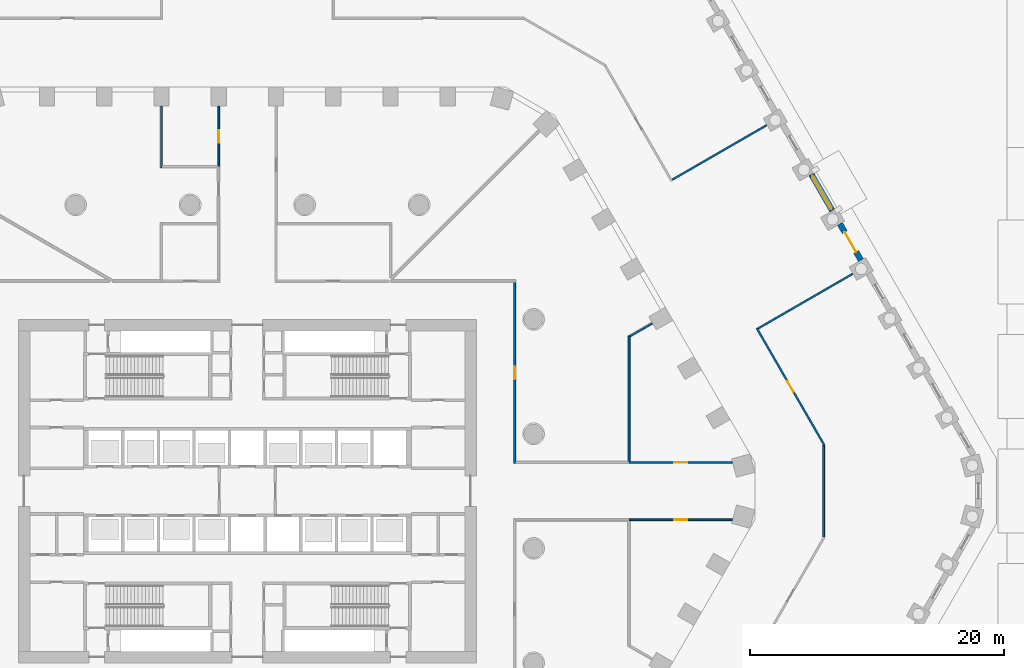
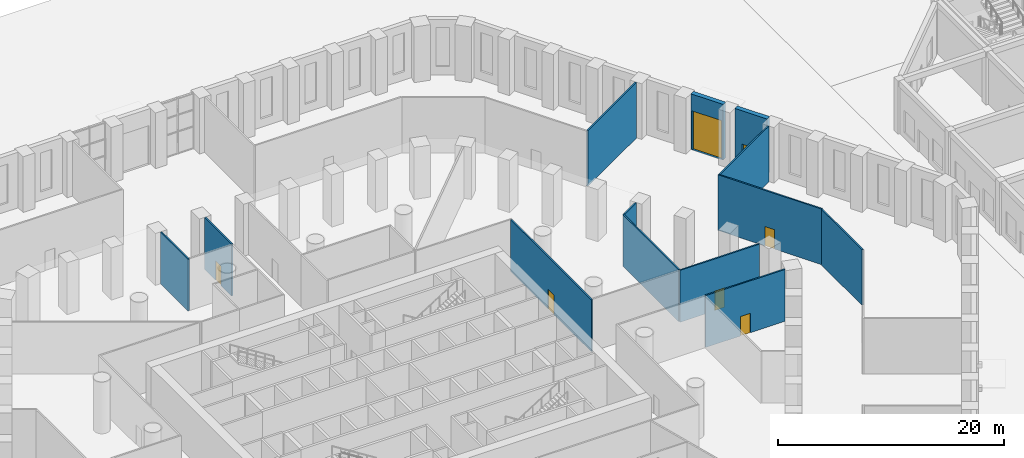
# One storey, part 22 of 44: 13 walls, 7 doors, 7 openings.
"""IFC4 building model written with IfcOpenShell, lengths in metres."""

from ifc_helpers import new_model, si_unit, direction, frame, frame_2d, origin, place, context, subcontext, project, spatial, rectangle, extrude, material, layer, layer_set, type_object, element, fill, save


model = new_model("IFC4")

# Units and contexts
model_context = context("Model", 3, precision=1e-05, world=origin(), true_north=direction((0.0, 1.0)))
body_context = subcontext(model_context, "Body", "Model", "MODEL_VIEW")
ifc_project = project(units=[si_unit("LENGTHUNIT", "METRE"), si_unit("AREAUNIT", "SQUARE_METRE"), si_unit("VOLUMEUNIT", "CUBIC_METRE"), si_unit("PLANEANGLEUNIT", "RADIAN"), si_unit("MASSUNIT", "GRAM", prefix="KILO")], contexts=[model_context])

# Site, building, storey
site_placement = place(None, origin())
site = spatial("IfcSite", under=ifc_project, at=site_placement, CompositionType="ELEMENT")
building_placement = place(site_placement, origin())
building = spatial("IfcBuilding", under=site, at=building_placement, Name="Dhurran Vertical Campus", CompositionType="ELEMENT")
storey_placement = place(building_placement, origin())
storey = spatial("IfcBuildingStorey", under=building, at=storey_placement, Name="L00", CompositionType="ELEMENT", Elevation=0.0)

# Wall, opening, door
ifc_material_1 = material(Name="Precast concrete C50/60", Category="concrete")
ifc_layer_1 = layer(ifc_material_1, 0.449951171875)
ifc_layer_set_1 = layer_set([ifc_layer_1], Name="Precast concrete C50/60")
wall_type_1 = type_object("IfcWallType", Name="Precast base wall 450", PredefinedType="SOLIDWALL", material=ifc_layer_set_1)
wall_1_placement = place(storey_placement, frame((46.579345703125, 21.0029296875, 0.0), z_axis=(0.0, 0.0, 1.0), x_axis=(0.499991515992, -0.866030301974, 0.0)))
wall_1 = element("IfcWall", 1, at=wall_1_placement, inside=storey, type_object=wall_type_1, Name="EW2 L00.30", PredefinedType="SOLIDWALL", context=body_context, shape_type="SweptSolid", body=[
    extrude(rectangle(XDim=3.298828125, YDim=0.449951171875, at=frame_2d((1.6494140625, 0.0))), origin(), (0.0, 0.0, 1.0), 6.0),
])
opening_1_placement = place(wall_1_placement, frame((0.74951171875, 0.0, 0.0)))
opening_1 = element("IfcOpeningElement", 2, at=opening_1_placement, cuts=wall_1, Name="Opening D008", PredefinedType="OPENING", context=body_context, shape_type="SweptSolid", body=[
    extrude(rectangle(XDim=1.800048828125, YDim=2.39990234375, at=frame_2d((0.89990234375, 1.199951171875))), frame((0.0, 0.23486328125, 0.0), z_axis=(0.0, -1.0, 0.0), x_axis=(1.0, 0.0, 0.0)), (0.0, 0.0, 1.0), 0.469970703125),
])
ifc_material_2 = material(Name="Steel, fire-rated", Category="steel")
door_type_1 = type_object("IfcDoorType", Name="Steel fire exit door pair 1800 x 2400", OperationType="DOUBLE_DOOR_SINGLE_SWING", PredefinedType="DOOR", material=ifc_material_2)
door_1_placement = place(opening_1_placement, origin())
door_1 = element("IfcDoor", 3, at=door_1_placement, inside=storey, type_object=door_type_1, Name="D008 stair exit discharge", OperationType="DOUBLE_DOOR_SINGLE_SWING", OverallHeight=2.39990234375, OverallWidth=1.800048828125, PredefinedType="DOOR", context=body_context, shape_type="SweptSolid", body=[
    extrude(rectangle(XDim=1.800048828125, YDim=2.39990234375, at=frame_2d((0.89990234375, 1.199951171875))), frame((0.0, 0.02490234375, 0.0), z_axis=(0.0, -1.0, 0.0), x_axis=(1.0, 0.0, 0.0)), (0.0, 0.0, 1.0), 0.050048828125),
])
fill(opening_1, door_1)

wall_2_placement = place(storey_placement, frame((44.329345703125, 24.900146484375, 0.0), z_axis=(0.0, 0.0, 1.0), x_axis=(0.499991515992, -0.866030301974, 0.0)))
wall_2 = element("IfcWall", 4, at=wall_2_placement, inside=storey, type_object=wall_type_1, Name="EW2 L00.31", PredefinedType="SOLIDWALL", context=body_context, shape_type="SweptSolid", body=[
    extrude(rectangle(XDim=3.298828125, YDim=0.449951171875, at=frame_2d((1.6494140625, 0.0))), origin(), (0.0, 0.0, 1.0), 6.0),
])
opening_2_placement = place(wall_2_placement, frame((0.1494140625, 0.0, 0.0)))
opening_2 = element("IfcOpeningElement", 5, at=opening_2_placement, cuts=wall_2, Name="Opening D006", PredefinedType="OPENING", context=body_context, shape_type="SweptSolid", body=[
    extrude(rectangle(XDim=3.0, YDim=4.199951171875, at=frame_2d((1.5, 2.10009765625))), frame((0.0, 0.23486328125, 0.0), z_axis=(0.0, -1.0, 0.0), x_axis=(1.0, 0.0, 0.0)), (0.0, 0.0, 1.0), 0.469970703125),
])
ifc_material_3 = material(Name="Aluminium and clear glass", Category="aluminium")
door_type_2 = type_object("IfcDoorType", Name="Aluminium and glass entrance portal door pair 3000 x 4200", OperationType="DOUBLE_DOOR_SINGLE_SWING", PredefinedType="DOOR", material=ifc_material_3)
door_2_placement = place(opening_2_placement, origin())
door_2 = element("IfcDoor", 6, at=door_2_placement, inside=storey, type_object=door_type_2, Name="D006 north-east lobby entrance", OperationType="DOUBLE_DOOR_SINGLE_SWING", OverallHeight=4.199951171875, OverallWidth=3.0, PredefinedType="DOOR", context=body_context, shape_type="SweptSolid", body=[
    extrude(rectangle(XDim=3.0, YDim=4.199951171875, at=frame_2d((1.5, 2.10009765625))), frame((0.0, 0.02490234375, 0.0), z_axis=(0.0, -1.0, 0.0), x_axis=(1.0, 0.0, 0.0)), (0.0, 0.0, 1.0), 0.050048828125),
])
fill(opening_2, door_2)

ifc_material_4 = material(Name="Gypsum board corridor wall on steel studs", Category="steel")
ifc_layer_2 = layer(ifc_material_4, 0.14990234375)
ifc_layer_set_2 = layer_set([ifc_layer_2], Name="Gypsum board corridor wall on steel studs")
wall_type_2 = type_object("IfcWallType", Name="fl-CW-150 corridor wall", PredefinedType="PARTITIONING", material=ifc_layer_set_2)
wall_3_placement = place(storey_placement, frame((-2.25, 25.5, 0.0), z_axis=(0.0, 0.0, 1.0), x_axis=(0.0, 1.0, 0.0)))
wall_3 = element("IfcWall", 7, at=wall_3_placement, inside=storey, type_object=wall_type_2, Name="Partition 00-43", PredefinedType="PARTITIONING", context=body_context, shape_type="SweptSolid", body=[
    extrude(rectangle(XDim=4.759765625, YDim=0.14990234375, at=frame_2d((2.3798828125, 0.0))), origin(), (0.0, 0.0, 1.0), 5.60009765625),
])
opening_3_placement = place(wall_3_placement, frame((1.8798828125, 0.0, 0.0)))
opening_3 = element("IfcOpeningElement", 8, at=opening_3_placement, cuts=wall_3, Name="Opening PD00.21", PredefinedType="OPENING", context=body_context, shape_type="SweptSolid", body=[
    extrude(rectangle(XDim=1.0, YDim=2.10009765625, at=frame_2d((0.5, 1.050048828125))), frame((0.0, 0.0849609375, 0.0), z_axis=(0.0, -1.0, 0.0), x_axis=(1.0, 0.0, 0.0)), (0.0, 0.0, 1.0), 0.169921875),
])
ifc_material_5 = material(Name="Solid-core timber door set, fire-rated", Category="wood")
door_type_3 = type_object("IfcDoorType", Name="fl-D-1000x2100", OperationType="SINGLE_SWING_LEFT", PredefinedType="DOOR", material=ifc_material_5)
door_3_placement = place(opening_3_placement, origin())
door_3 = element("IfcDoor", 9, at=door_3_placement, inside=storey, type_object=door_type_3, Name="Door 00.21", OperationType="SINGLE_SWING_LEFT", OverallHeight=2.10009765625, OverallWidth=1.0, PredefinedType="DOOR", context=body_context, shape_type="SweptSolid", body=[
    extrude(rectangle(XDim=1.0, YDim=2.10009765625, at=frame_2d((0.5, 1.050048828125))), frame((0.0, 0.02490234375, 0.0), z_axis=(0.0, -1.0, 0.0), x_axis=(1.0, 0.0, 0.0)), (0.0, 0.0, 1.0), 0.050048828125),
])
fill(opening_3, door_3)

wall_4_placement = place(storey_placement, frame((21.0, 2.175048828125, 0.0), z_axis=(0.0, 0.0, 1.0), x_axis=(0.0, 1.0, 0.0)))
wall_4 = element("IfcWall", 10, at=wall_4_placement, inside=storey, type_object=wall_type_2, Name="Partition 00-64", PredefinedType="PARTITIONING", context=body_context, shape_type="SweptSolid", body=[
    extrude(rectangle(XDim=14.25, YDim=0.14990234375, at=frame_2d((7.125, 0.0))), origin(), (0.0, 0.0, 1.0), 5.60009765625),
])
opening_4_placement = place(wall_4_placement, frame((6.625, 0.0, 0.0)))
opening_4 = element("IfcOpeningElement", 11, at=opening_4_placement, cuts=wall_4, Name="Opening PD00.26", PredefinedType="OPENING", context=body_context, shape_type="SweptSolid", body=[
    extrude(rectangle(XDim=1.0, YDim=2.10009765625, at=frame_2d((0.5, 1.050048828125))), frame((0.0, 0.0849609375, 0.0), z_axis=(0.0, -1.0, 0.0), x_axis=(1.0, 0.0, 0.0)), (0.0, 0.0, 1.0), 0.169921875),
])
door_4_placement = place(opening_4_placement, origin())
door_4 = element("IfcDoor", 12, at=door_4_placement, inside=storey, type_object=door_type_3, Name="Door 00.26", OperationType="SINGLE_SWING_LEFT", OverallHeight=2.10009765625, OverallWidth=1.0, PredefinedType="DOOR", context=body_context, shape_type="SweptSolid", body=[
    extrude(rectangle(XDim=1.0, YDim=2.10009765625, at=frame_2d((0.5, 1.050048828125))), frame((0.0, 0.02490234375, 0.0), z_axis=(0.0, -1.0, 0.0), x_axis=(1.0, 0.0, 0.0)), (0.0, 0.0, 1.0), 0.050048828125),
])
fill(opening_4, door_4)

wall_5_placement = place(storey_placement, frame((38.115478515625, -2.25, 0.0), z_axis=(0.0, 0.0, 1.0), x_axis=(-1.0, 0.0, 0.0)))
wall_5 = element("IfcWall", 13, at=wall_5_placement, inside=storey, type_object=wall_type_2, Name="Partition 00-72", PredefinedType="PARTITIONING", context=body_context, shape_type="SweptSolid", body=[
    extrude(rectangle(XDim=8.115478515625, YDim=0.14990234375, at=frame_2d((4.0576171875, 0.0))), origin(), (0.0, 0.0, 1.0), 5.60009765625),
])
opening_5_placement = place(wall_5_placement, frame((3.5576171875, 0.0, 0.0)))
opening_5 = element("IfcOpeningElement", 14, at=opening_5_placement, cuts=wall_5, Name="Opening PD00.28", PredefinedType="OPENING", context=body_context, shape_type="SweptSolid", body=[
    extrude(rectangle(XDim=1.0, YDim=2.10009765625, at=frame_2d((0.5, 1.050048828125))), frame((0.0, 0.0849609375, 0.0), z_axis=(0.0, -1.0, 0.0), x_axis=(1.0, 0.0, 0.0)), (0.0, 0.0, 1.0), 0.169921875),
])
door_5_placement = place(opening_5_placement, origin())
door_5 = element("IfcDoor", 15, at=door_5_placement, inside=storey, type_object=door_type_3, Name="Door 00.28", OperationType="SINGLE_SWING_LEFT", OverallHeight=2.10009765625, OverallWidth=1.0, PredefinedType="DOOR", context=body_context, shape_type="SweptSolid", body=[
    extrude(rectangle(XDim=1.0, YDim=2.10009765625, at=frame_2d((0.5, 1.050048828125))), frame((0.0, 0.02490234375, 0.0), z_axis=(0.0, -1.0, 0.0), x_axis=(1.0, 0.0, 0.0)), (0.0, 0.0, 1.0), 0.050048828125),
])
fill(opening_5, door_5)

wall_6_placement = place(storey_placement, frame((30.0, 2.25, 0.0), z_axis=(0.0, 0.0, 1.0), x_axis=(1.0, 0.0, 0.0)))
wall_6 = element("IfcWall", 16, at=wall_6_placement, inside=storey, type_object=wall_type_2, Name="Partition 00-74", PredefinedType="PARTITIONING", context=body_context, shape_type="SweptSolid", body=[
    extrude(rectangle(XDim=8.115478515625, YDim=0.14990234375, at=frame_2d((4.0576171875, 0.0))), origin(), (0.0, 0.0, 1.0), 5.60009765625),
])
opening_6_placement = place(wall_6_placement, frame((3.5576171875, 0.0, 0.0)))
opening_6 = element("IfcOpeningElement", 17, at=opening_6_placement, cuts=wall_6, Name="Opening PD00.29", PredefinedType="OPENING", context=body_context, shape_type="SweptSolid", body=[
    extrude(rectangle(XDim=1.0, YDim=2.10009765625, at=frame_2d((0.5, 1.050048828125))), frame((0.0, 0.0849609375, 0.0), z_axis=(0.0, -1.0, 0.0), x_axis=(1.0, 0.0, 0.0)), (0.0, 0.0, 1.0), 0.169921875),
])
door_6_placement = place(opening_6_placement, origin())
door_6 = element("IfcDoor", 18, at=door_6_placement, inside=storey, type_object=door_type_3, Name="Door 00.29", OperationType="SINGLE_SWING_RIGHT", OverallHeight=2.10009765625, OverallWidth=1.0, PredefinedType="DOOR", context=body_context, shape_type="SweptSolid", body=[
    extrude(rectangle(XDim=1.0, YDim=2.10009765625, at=frame_2d((0.5, 1.050048828125))), frame((0.0, 0.02490234375, 0.0), z_axis=(0.0, -1.0, 0.0), x_axis=(1.0, 0.0, 0.0)), (0.0, 0.0, 1.0), 0.050048828125),
])
fill(opening_6, door_6)

# Wall
wall_7_placement = place(storey_placement, frame((33.388916015625, 24.473388671875, 0.0), z_axis=(0.0, 0.0, 1.0), x_axis=(0.866015728299, 0.500016758057, 0.0)))
element("IfcWall", 19, at=wall_7_placement, inside=storey, type_object=wall_type_2, Name="Partition 00-77", PredefinedType="PARTITIONING", context=body_context, shape_type="SweptSolid", body=[
    extrude(rectangle(XDim=8.593017578125, YDim=0.14990234375, at=frame_2d((4.29638671875, 0.0))), origin(), (0.0, 0.0, 1.0), 6.0),
])

# Wall, opening, door
wall_8_placement = place(storey_placement, frame((40.03662109375, 12.80908203125, 0.0), z_axis=(0.0, 0.0, 1.0), x_axis=(0.499965106835, -0.866045548425, 0.0)))
wall_8 = element("IfcWall", 20, at=wall_8_placement, inside=storey, type_object=wall_type_2, Name="Partition 00-80", PredefinedType="PARTITIONING", context=body_context, shape_type="SweptSolid", body=[
    extrude(rectangle(XDim=10.596435546875, YDim=0.14990234375, at=frame_2d((5.29833984375, 0.0))), origin(), (0.0, 0.0, 1.0), 6.0),
])
opening_7_placement = place(wall_8_placement, frame((4.79833984375, 0.0, 0.0)))
opening_7 = element("IfcOpeningElement", 21, at=opening_7_placement, cuts=wall_8, Name="Opening PD00.06", PredefinedType="OPENING", context=body_context, shape_type="SweptSolid", body=[
    extrude(rectangle(XDim=1.0, YDim=2.10009765625, at=frame_2d((0.5, 1.050048828125))), frame((0.0, 0.0849609375, 0.0), z_axis=(0.0, -1.0, 0.0), x_axis=(1.0, 0.0, 0.0)), (0.0, 0.0, 1.0), 0.169921875),
])
door_7_placement = place(opening_7_placement, origin())
door_7 = element("IfcDoor", 22, at=door_7_placement, inside=storey, type_object=door_type_3, Name="Door 00.06", OperationType="SINGLE_SWING_LEFT", OverallHeight=2.10009765625, OverallWidth=1.0, PredefinedType="DOOR", context=body_context, shape_type="SweptSolid", body=[
    extrude(rectangle(XDim=1.0, YDim=2.10009765625, at=frame_2d((0.5, 1.050048828125))), frame((0.0, 0.02490234375, 0.0), z_axis=(0.0, -1.0, 0.0), x_axis=(1.0, 0.0, 0.0)), (0.0, 0.0, 1.0), 0.050048828125),
])
fill(opening_7, door_7)

# Walls
wall_9_placement = place(storey_placement, frame((47.580810546875, 17.078125, 0.0), z_axis=(0.0, 0.0, 1.0), x_axis=(-0.866022831428, -0.500004455426, 0.0)))
element("IfcWall", 23, at=wall_9_placement, inside=storey, type_object=wall_type_2, Name="Partition 00-81", PredefinedType="PARTITIONING", context=body_context, shape_type="SweptSolid", body=[
    extrude(rectangle(XDim=8.59326171875, YDim=0.14990234375, at=frame_2d((4.296630859375, 0.0))), origin(), (0.0, 0.0, 1.0), 6.0),
])
wall_10_placement = place(storey_placement, frame((45.297119140625, 3.596923828125, 0.0), z_axis=(0.0, 0.0, 1.0), x_axis=(0.0, -1.0, 0.0)))
element("IfcWall", 24, at=wall_10_placement, inside=storey, type_object=wall_type_2, Name="Partition 00-82", PredefinedType="PARTITIONING", context=body_context, shape_type="SweptSolid", body=[
    extrude(rectangle(XDim=7.19384765625, YDim=0.14990234375, at=frame_2d((3.596923828125, 0.0))), origin(), (0.0, 0.0, 1.0), 6.0),
])
ifc_material_6 = material(Name="Gypsum board partition on steel studs", Category="steel")
ifc_layer_3 = layer(ifc_material_6, 0.14990234375)
ifc_layer_set_3 = layer_set([ifc_layer_3], Name="Gypsum board partition on steel studs")
wall_type_3 = type_object("IfcWallType", Name="fl-PW-150 fixed partition", PredefinedType="PARTITIONING", material=ifc_layer_set_3)
wall_11_placement = place(storey_placement, frame((-6.75, 30.259765625, 0.0), z_axis=(0.0, 0.0, 1.0), x_axis=(0.0, -1.0, 0.0)))
element("IfcWall", 25, at=wall_11_placement, inside=storey, type_object=wall_type_3, Name="Partition 00-36", PredefinedType="PARTITIONING", context=body_context, shape_type="SweptSolid", body=[
    extrude(rectangle(XDim=4.834716796875, YDim=0.14990234375, at=frame_2d((2.41748046875, 0.0))), origin(), (0.0, 0.0, 1.0), 5.60009765625),
])
wall_12_placement = place(storey_placement, frame((30.0, 12.198974609375, 0.0), z_axis=(0.0, 0.0, 1.0), x_axis=(0.0, -1.0, 0.0)))
element("IfcWall", 26, at=wall_12_placement, inside=storey, type_object=wall_type_3, Name="Partition 00-73", PredefinedType="PARTITIONING", context=body_context, shape_type="SweptSolid", body=[
    extrude(rectangle(XDim=9.8740234375, YDim=0.14990234375, at=frame_2d((4.93701171875, 0.0))), origin(), (0.0, 0.0, 1.0), 5.60009765625),
])
wall_13_placement = place(storey_placement, frame((31.830810546875, 13.18115234375, 0.0), z_axis=(0.0, 0.0, 1.0), x_axis=(-0.86600389892, -0.500037245667, 0.0)))
element("IfcWall", 27, at=wall_13_placement, inside=storey, type_object=wall_type_3, Name="Partition 00-75", PredefinedType="PARTITIONING", context=body_context, shape_type="SweptSolid", body=[
    extrude(rectangle(XDim=2.013916015625, YDim=0.14990234375, at=frame_2d((1.0068359375, 0.0))), origin(), (0.0, 0.0, 1.0), 5.60009765625),
])

save(model, "model.ifc")
